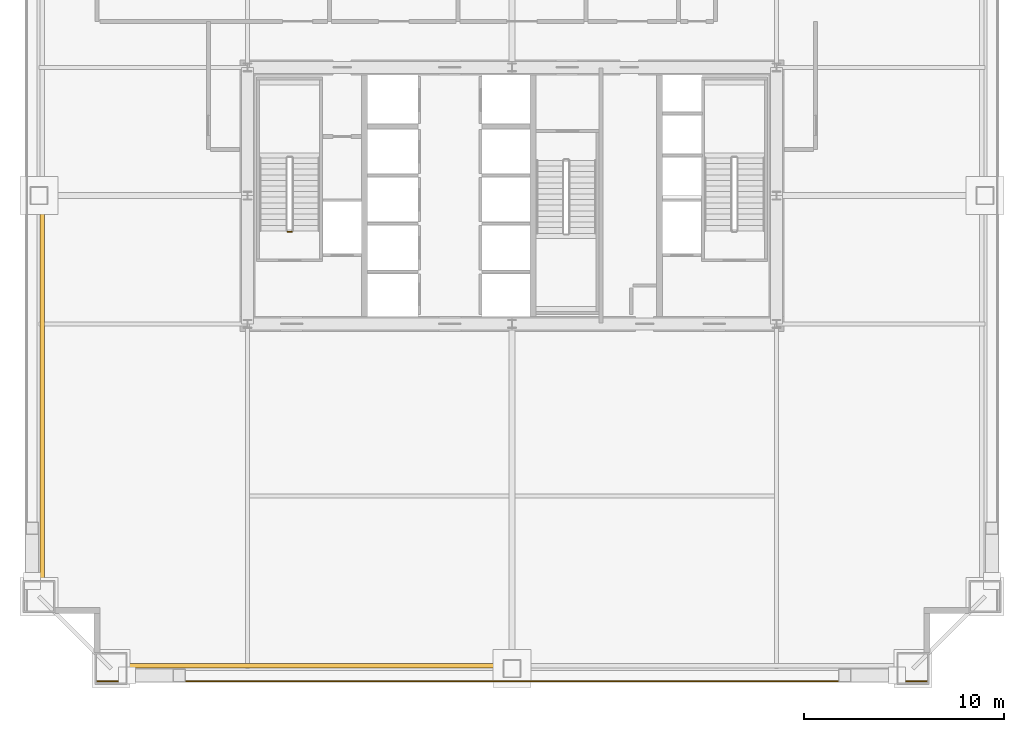
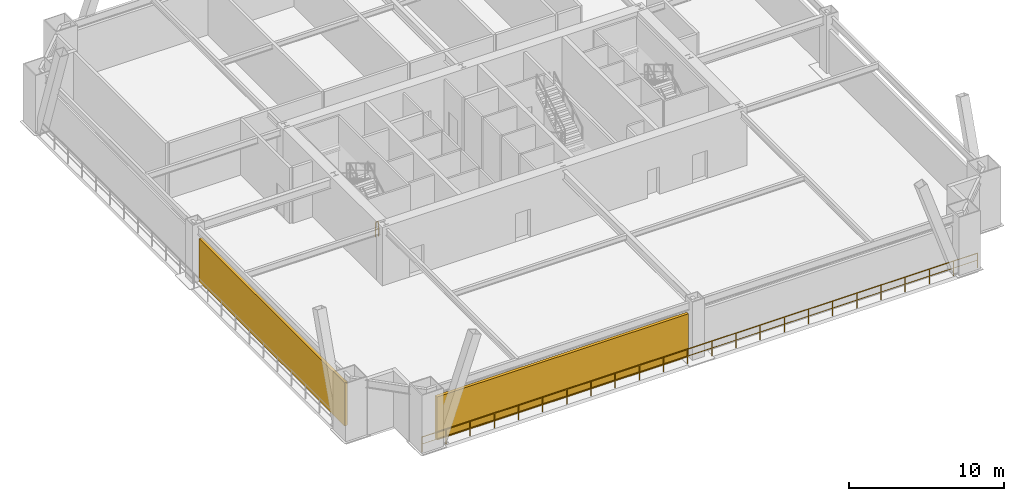
# One storey, part 6 of 9: 2 railings, 2 shading devices.
"""IFC4 building model written with IfcOpenShell, lengths in metres."""

from ifc_helpers import new_model, si_unit, direction, frame, origin, origin_2d, place, context, subcontext, project, spatial, rectangle, extrude, source, transform, mapped, material, layer, layer_set, type_object, element, save


model = new_model("IFC4")

# Units and contexts
model_context = context("Model", 3, precision=1e-05, world=origin(), true_north=direction((0.0, 1.0)))
body_context = subcontext(model_context, "Body", "Model", "MODEL_VIEW")
ifc_project = project(units=[si_unit("LENGTHUNIT", "METRE"), si_unit("AREAUNIT", "SQUARE_METRE"), si_unit("VOLUMEUNIT", "CUBIC_METRE"), si_unit("PLANEANGLEUNIT", "RADIAN"), si_unit("MASSUNIT", "GRAM", prefix="KILO"), si_unit("THERMODYNAMICTEMPERATUREUNIT", "KELVIN"), si_unit("POWERUNIT", "WATT")], contexts=[model_context])

# Site, building, storey
site_placement = place(None, origin())
site = spatial("IfcSite", under=ifc_project, at=site_placement, CompositionType="ELEMENT")
building_placement = place(site_placement, origin())
building = spatial("IfcBuilding", under=site, at=building_placement, Name="Yuzanri Waterfront Tower", CompositionType="ELEMENT")
storey_placement = place(building_placement, frame((0.0, 0.0, 85.60009765625)))
storey = spatial("IfcBuildingStorey", under=building, at=storey_placement, Name="L22", CompositionType="ELEMENT", Elevation=85.60009765625)

# Shading devices
ifc_material_1 = material(Name="Anodized Architectural Bronze", Category="metal")
ifc_layer_1 = layer(ifc_material_1, 0.219970703125)
ifc_layer_set_1 = layer_set([ifc_layer_1], Name="Anodized Architectural Bronze")
shading_device_type = type_object("IfcShadingDeviceType", Name="Anodized Bronze Refuge Wind-Diffusing Louvre Screen 220", PredefinedType="USERDEFINED", material=ifc_layer_set_1)
shared_shape_1 = source(origin(), body_context, "Body", "SweptSolid", [
    extrude(rectangle(XDim=18.75, YDim=0.219970703125, at=origin_2d()), origin(), (0.0, 0.0, 1.0), 3.39990234375),
])
shading_device_1_placement = place(storey_placement, frame((27.175048828125, 2.35009765625, 0.0), z_axis=(0.0, 0.0, 1.0), x_axis=(1.0, 0.0, 0.0)))
element("IfcShadingDevice", 1, at=shading_device_1_placement, inside=storey, type_object=shading_device_type, Name="L22 Wind-Diffusing Refuge Louvre SL", ObjectType="LOUVRE", PredefinedType="USERDEFINED", context=body_context, shape_type="MappedRepresentation", body=[
    mapped(shared_shape_1, transform((0.0, 0.0, 0.0), scale=1.0)),
])
shared_shape_2 = source(origin(), body_context, "Body", "SweptSolid", [
    extrude(rectangle(XDim=0.219970703125, YDim=18.75, at=origin_2d()), origin(), (0.0, 0.0, 1.0), 3.39990234375),
])
shading_device_2_placement = place(storey_placement, frame((13.550048828125, 15.97509765625, 0.0), z_axis=(0.0, 0.0, 1.0), x_axis=(1.0, 0.0, 0.0)))
element("IfcShadingDevice", 2, at=shading_device_2_placement, inside=storey, type_object=shading_device_type, Name="L22 Wind-Diffusing Refuge Louvre WL", ObjectType="LOUVRE", PredefinedType="USERDEFINED", context=body_context, shape_type="MappedRepresentation", body=[
    mapped(shared_shape_2, transform((0.0, 0.0, 0.0), scale=1.0)),
])

# Railings
ifc_material_2 = material(Name="Anodized Architectural Bronze", Category="metal")
ifc_layer_2 = layer(ifc_material_2, 0.080078125)
ifc_layer_set_2 = layer_set([ifc_layer_2], Name="Anodized Architectural Bronze")
railing_type_1 = type_object("IfcRailingType", Name="Laminated Glass and Bronze Balcony Guardrail 1200", PredefinedType="BALUSTRADE", material=ifc_layer_set_2)
shared_shape_3 = source(origin(), body_context, "Body", "SweptSolid", [
    extrude(rectangle(XDim=0.050048828125, YDim=0.050048828125, at=origin_2d()), frame((0.0, 0.0, 1.1748046875), z_axis=(1.0, 0.0, 0.0), x_axis=(0.0, 1.0, 0.0)), (0.0, 0.0, 1.0), 41.39990234375),
    extrude(rectangle(XDim=0.035888671875, YDim=0.030029296875, at=origin_2d()), frame((0.0, 0.0, 0.6240234375), z_axis=(1.0, 0.0, 0.0), x_axis=(0.0, 1.0, 0.0)), (0.0, 0.0, 1.0), 41.39990234375),
    extrude(rectangle(XDim=0.0458984375, YDim=0.0458984375, at=origin_2d()), origin(), (0.0, 0.0, 1.0), 1.14990234375),
    extrude(rectangle(XDim=0.0458984375, YDim=0.0458984375, at=origin_2d()), frame((1.800048828125, 0.0, 0.0)), (0.0, 0.0, 1.0), 1.14990234375),
    extrude(rectangle(XDim=0.0458984375, YDim=0.0458984375, at=origin_2d()), frame((3.60009765625, 0.0, 0.0)), (0.0, 0.0, 1.0), 1.14990234375),
    extrude(rectangle(XDim=0.0458984375, YDim=0.0458984375, at=origin_2d()), frame((5.39990234375, 0.0, 0.0)), (0.0, 0.0, 1.0), 1.14990234375),
    extrude(rectangle(XDim=0.0458984375, YDim=0.0458984375, at=origin_2d()), frame((7.199951171875, 0.0, 0.0)), (0.0, 0.0, 1.0), 1.14990234375),
    extrude(rectangle(XDim=0.0458984375, YDim=0.0458984375, at=origin_2d()), frame((9.0, 0.0, 0.0)), (0.0, 0.0, 1.0), 1.14990234375),
    extrude(rectangle(XDim=0.0458984375, YDim=0.0458984375, at=origin_2d()), frame((10.800048828125, 0.0, 0.0)), (0.0, 0.0, 1.0), 1.14990234375),
    extrude(rectangle(XDim=0.0458984375, YDim=0.0458984375, at=origin_2d()), frame((12.599853515625, 0.0, 0.0)), (0.0, 0.0, 1.0), 1.14990234375),
    extrude(rectangle(XDim=0.0458984375, YDim=0.0458984375, at=origin_2d()), frame((14.39990234375, 0.0, 0.0)), (0.0, 0.0, 1.0), 1.14990234375),
    extrude(rectangle(XDim=0.0458984375, YDim=0.0458984375, at=origin_2d()), frame((16.199951171875, 0.0, 0.0)), (0.0, 0.0, 1.0), 1.14990234375),
    extrude(rectangle(XDim=0.0458984375, YDim=0.0458984375, at=origin_2d()), frame((18.0, 0.0, 0.0)), (0.0, 0.0, 1.0), 1.14990234375),
    extrude(rectangle(XDim=0.0458984375, YDim=0.0458984375, at=origin_2d()), frame((19.800048828125, 0.0, 0.0)), (0.0, 0.0, 1.0), 1.14990234375),
    extrude(rectangle(XDim=0.0458984375, YDim=0.0458984375, at=origin_2d()), frame((21.599853515625, 0.0, 0.0)), (0.0, 0.0, 1.0), 1.14990234375),
    extrude(rectangle(XDim=0.0458984375, YDim=0.0458984375, at=origin_2d()), frame((23.39990234375, 0.0, 0.0)), (0.0, 0.0, 1.0), 1.14990234375),
    extrude(rectangle(XDim=0.0458984375, YDim=0.0458984375, at=origin_2d()), frame((25.199951171875, 0.0, 0.0)), (0.0, 0.0, 1.0), 1.14990234375),
    extrude(rectangle(XDim=0.0458984375, YDim=0.0458984375, at=origin_2d()), frame((27.0, 0.0, 0.0)), (0.0, 0.0, 1.0), 1.14990234375),
    extrude(rectangle(XDim=0.0458984375, YDim=0.0458984375, at=origin_2d()), frame((28.800048828125, 0.0, 0.0)), (0.0, 0.0, 1.0), 1.14990234375),
    extrude(rectangle(XDim=0.0458984375, YDim=0.0458984375, at=origin_2d()), frame((30.599853515625, 0.0, 0.0)), (0.0, 0.0, 1.0), 1.14990234375),
    extrude(rectangle(XDim=0.0458984375, YDim=0.0458984375, at=origin_2d()), frame((32.39990234375, 0.0, 0.0)), (0.0, 0.0, 1.0), 1.14990234375),
    extrude(rectangle(XDim=0.0458984375, YDim=0.0458984375, at=origin_2d()), frame((34.199951171875, 0.0, 0.0)), (0.0, 0.0, 1.0), 1.14990234375),
    extrude(rectangle(XDim=0.0458984375, YDim=0.0458984375, at=origin_2d()), frame((36.0, 0.0, 0.0)), (0.0, 0.0, 1.0), 1.14990234375),
    extrude(rectangle(XDim=0.0458984375, YDim=0.0458984375, at=origin_2d()), frame((37.7998046875, 0.0, 0.0)), (0.0, 0.0, 1.0), 1.14990234375),
    extrude(rectangle(XDim=0.0458984375, YDim=0.0458984375, at=origin_2d()), frame((39.599853515625, 0.0, 0.0)), (0.0, 0.0, 1.0), 1.14990234375),
    extrude(rectangle(XDim=0.0458984375, YDim=0.0458984375, at=origin_2d()), frame((41.39990234375, 0.0, 0.0)), (0.0, 0.0, 1.0), 1.14990234375),
])
railing_1_placement = place(storey_placement, frame((16.300048828125, 1.580078125, 0.0)))
element("IfcRailing", 3, at=railing_1_placement, inside=storey, type_object=railing_type_1, Name="L22 South Refuge Edge Guard", PredefinedType="BALUSTRADE", context=body_context, shape_type="MappedRepresentation", body=[
    mapped(shared_shape_3, transform((0.0, 0.0, 0.0), scale=1.0)),
])
ifc_material_3 = material(Name="Painted Galvanized Fire Steel", Category="steel")
ifc_layer_3 = layer(ifc_material_3, 0.06005859375)
ifc_layer_set_3 = layer_set([ifc_layer_3], Name="Painted Galvanized Fire Steel")
railing_type_2 = type_object("IfcRailingType", Name="Painted Steel Stairwell Guardrail 1120", PredefinedType="GUARDRAIL", material=ifc_layer_set_3)
shared_shape_4 = source(origin(), body_context, "Body", "SweptSolid", [
    extrude(rectangle(XDim=0.050048828125, YDim=0.050048828125, at=origin_2d()), frame((0.0, 0.0, 1.1748046875), z_axis=(-1.0, 0.0, 0.0), x_axis=(0.0, -1.0, 0.0)), (0.0, 0.0, 1.0), 0.199951171875),
    extrude(rectangle(XDim=0.035888671875, YDim=0.030029296875, at=origin_2d()), frame((0.0, 0.0, 0.6240234375), z_axis=(-1.0, 0.0, 0.0), x_axis=(0.0, -1.0, 0.0)), (0.0, 0.0, 1.0), 0.199951171875),
    extrude(rectangle(XDim=0.0458984375, YDim=0.0458984375, at=origin_2d()), origin(), (0.0, 0.0, 1.0), 1.14990234375),
    extrude(rectangle(XDim=0.0458984375, YDim=0.0458984375, at=origin_2d()), frame((-0.199951171875, 0.0, 0.0)), (0.0, 0.0, 1.0), 1.14990234375),
])
railing_2_placement = place(storey_placement, frame((26.0, 23.989990234375, 0.0)))
element("IfcRailing", 4, at=railing_2_placement, inside=storey, type_object=railing_type_2, Name="L22 ST-01 stair guard 4", PredefinedType="GUARDRAIL", context=body_context, shape_type="MappedRepresentation", body=[
    mapped(shared_shape_4, transform((0.0, 0.0, 0.0), scale=1.0)),
])

save(model, "model.ifc")
